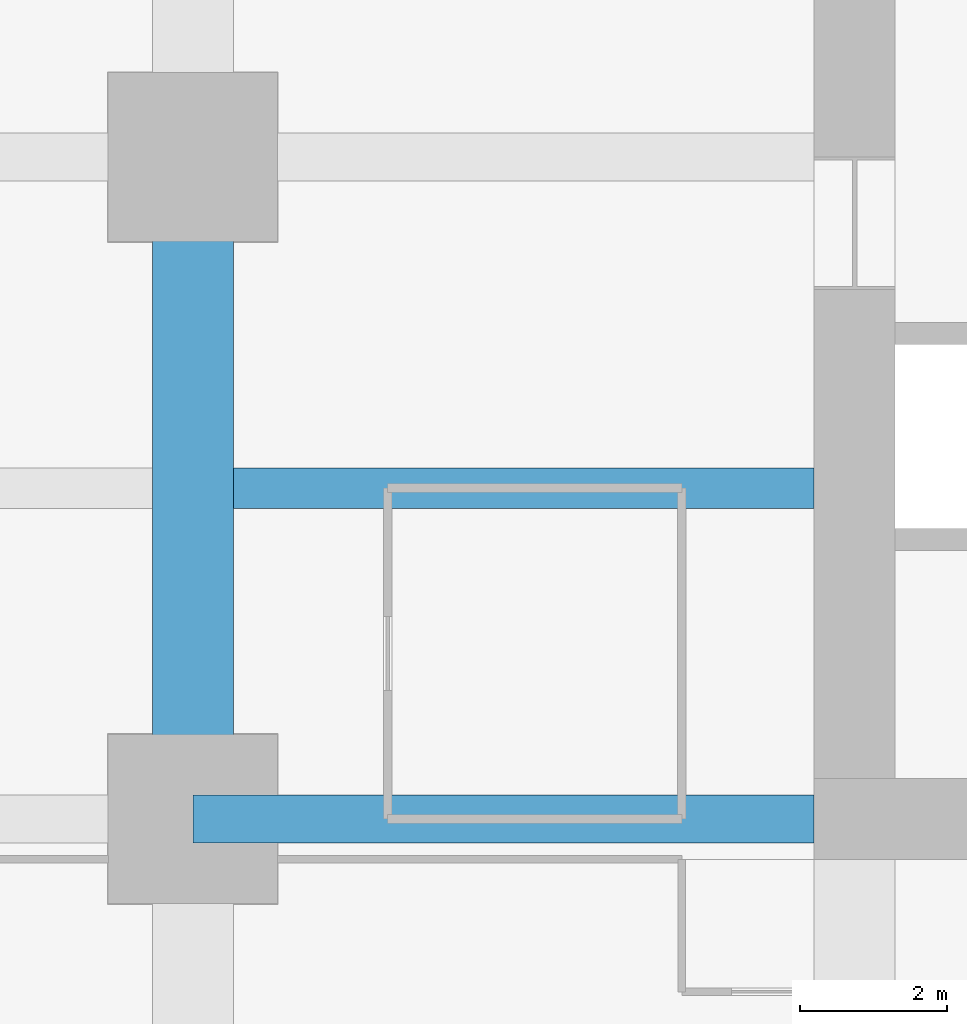
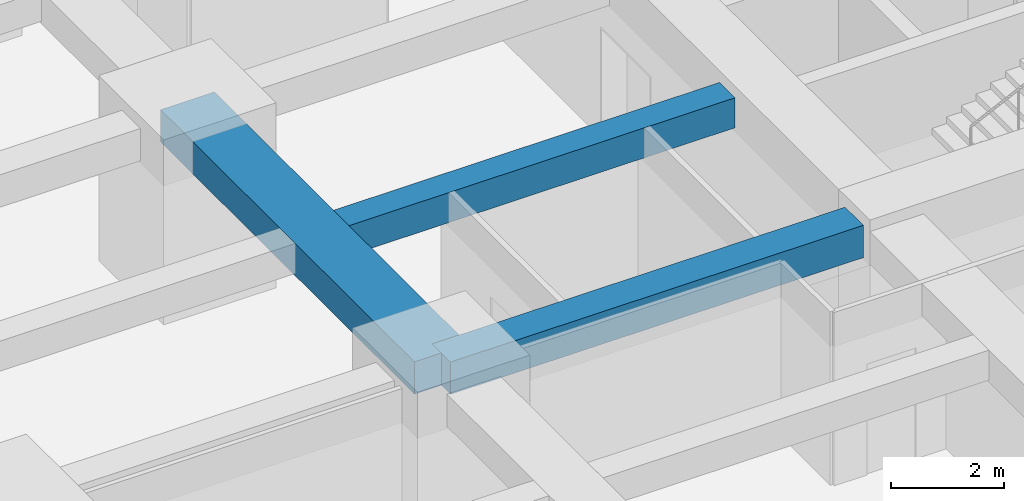
# One storey, part 10 of 44: 3 beams.
"""IFC4 building model written with IfcOpenShell, lengths in metres."""

from ifc_helpers import new_model, si_unit, direction, frame, origin, origin_2d, place, context, subcontext, project, spatial, rectangle, extrude, material, material_profile, profile_set, type_object, element, save


model = new_model("IFC4")

# Units and contexts
model_context = context("Model", 3, precision=1e-05, world=origin(), true_north=direction((0.0, 1.0)))
body_context = subcontext(model_context, "Body", "Model", "MODEL_VIEW")
ifc_project = project(units=[si_unit("LENGTHUNIT", "METRE"), si_unit("AREAUNIT", "SQUARE_METRE"), si_unit("VOLUMEUNIT", "CUBIC_METRE"), si_unit("PLANEANGLEUNIT", "RADIAN"), si_unit("MASSUNIT", "GRAM", prefix="KILO")], contexts=[model_context])

# Site, building, storey
site_placement = place(None, origin())
site = spatial("IfcSite", under=ifc_project, at=site_placement, CompositionType="ELEMENT")
building_placement = place(site_placement, origin())
building = spatial("IfcBuilding", under=site, at=building_placement, Name="Zorevar Civic Tower", CompositionType="ELEMENT")
storey_placement = place(building_placement, frame((0.0, 0.0, 43.800048828125)))
storey = spatial("IfcBuildingStorey", under=building, at=storey_placement, Name="L10", CompositionType="ELEMENT", Elevation=43.800048828125)

# Beams
ifc_material_1 = material(Name="Concrete C50/60", Category="concrete")
ifc_material_profile_1 = material_profile(ifc_material_1, rectangle(XDim=1.10009765625, YDim=0.699951171875, at=origin_2d()), Name="RC 1100x700")
ifc_profile_set_1 = profile_set([ifc_material_profile_1], Name="Concrete C50/60")
beam_type_1 = type_object("IfcBeamType", Name="Beam RC 1100x700", PredefinedType="BEAM", material=ifc_profile_set_1)
beam_1_placement = place(storey_placement, frame((9.0, 18.0, 3.39990234375), z_axis=(0.0, 1.0, 0.0), x_axis=(-1.0, 0.0, 0.0)))
element("IfcBeam", 1, at=beam_1_placement, inside=storey, type_object=beam_type_1, Name="Girder L11", PredefinedType="BEAM", context=body_context, shape_type="SweptSolid", body=[
    extrude(rectangle(XDim=1.10009765625, YDim=0.699951171875, at=origin_2d()), origin(), (0.0, 0.0, 1.0), 9.0),
])
ifc_material_2 = material(Name="Concrete C50/60", Category="concrete")
ifc_material_profile_2 = material_profile(ifc_material_2, rectangle(XDim=0.550048828125, YDim=0.64990234375, at=origin_2d()), Name="RC 550x650")
ifc_profile_set_2 = profile_set([ifc_material_profile_2], Name="Concrete C50/60")
beam_type_2 = type_object("IfcBeamType", Name="Beam RC 550x650", PredefinedType="BEAM", material=ifc_profile_set_2)
beam_2_placement = place(storey_placement, frame((9.550048828125, 22.5, 3.425048828125), z_axis=(1.0, 0.0, 0.0), x_axis=(0.0, 1.0, 0.0)))
element("IfcBeam", 2, at=beam_2_placement, inside=storey, type_object=beam_type_2, Name="Secondary beam L11", PredefinedType="BEAM", context=body_context, shape_type="SweptSolid", body=[
    extrude(rectangle(XDim=0.550048828125, YDim=0.64990234375, at=origin_2d()), origin(), (0.0, 0.0, 1.0), 7.89990234375),
])
ifc_material_3 = material(Name="Concrete C50/60", Category="concrete")
ifc_material_profile_3 = material_profile(ifc_material_3, rectangle(XDim=0.64990234375, YDim=0.699951171875, at=origin_2d()), Name="RC 650x700")
ifc_profile_set_3 = profile_set([ifc_material_profile_3], Name="Concrete C50/60")
beam_type_3 = type_object("IfcBeamType", Name="Beam RC 650x700", PredefinedType="BEAM", material=ifc_profile_set_3)
beam_3_placement = place(storey_placement, frame((9.0, 18.0, 3.39990234375), z_axis=(1.0, 0.0, 0.0), x_axis=(0.0, 1.0, 0.0)))
element("IfcBeam", 3, at=beam_3_placement, inside=storey, type_object=beam_type_3, Name="Girder L11", PredefinedType="BEAM", context=body_context, shape_type="SweptSolid", body=[
    extrude(rectangle(XDim=0.64990234375, YDim=0.699951171875, at=origin_2d()), origin(), (0.0, 0.0, 1.0), 8.449951171875),
])

save(model, "model.ifc")
